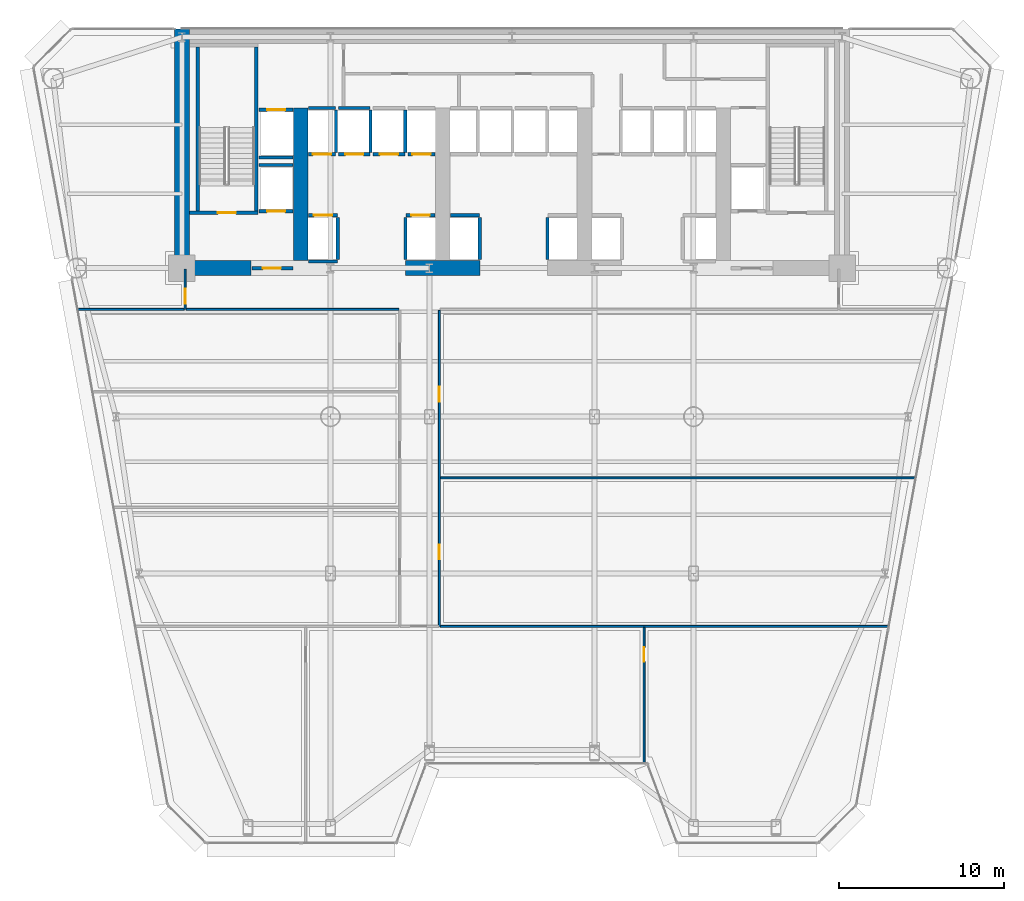
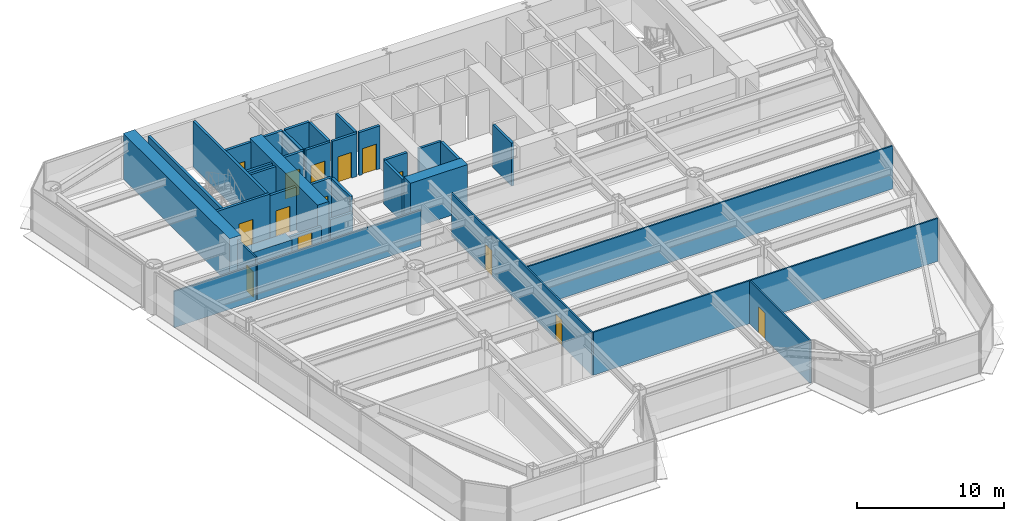
# One storey, part 8 of 14: 36 walls, 14 doors, 14 openings.
"""IFC4 building model written with IfcOpenShell, lengths in metres."""

from ifc_helpers import new_model, si_unit, direction, frame, frame_2d, origin, place, context, subcontext, project, spatial, rectangle, extrude, source, transform, mapped, material, layer, layer_set, type_object, element, fill, save


model = new_model("IFC4")

# Units and contexts
model_context = context("Model", 3, precision=1e-05, world=origin(), true_north=direction((0.0, 1.0)))
body_context = subcontext(model_context, "Body", "Model", "MODEL_VIEW")
ifc_project = project(units=[si_unit("LENGTHUNIT", "METRE"), si_unit("AREAUNIT", "SQUARE_METRE"), si_unit("VOLUMEUNIT", "CUBIC_METRE"), si_unit("PLANEANGLEUNIT", "RADIAN"), si_unit("MASSUNIT", "GRAM", prefix="KILO")], contexts=[model_context])

# Site, building, storey
site_placement = place(None, origin())
site = spatial("IfcSite", under=ifc_project, at=site_placement, CompositionType="ELEMENT")
building_placement = place(site_placement, origin())
building = spatial("IfcBuilding", under=site, at=building_placement, Name="Vaeldorn Concourse Tower", CompositionType="ELEMENT")
storey_placement = place(building_placement, frame((0.0, 0.0, 45.39990234375)))
storey = spatial("IfcBuildingStorey", under=building, at=storey_placement, Name="L11", CompositionType="ELEMENT", Elevation=45.39990234375)

# Walls
ifc_material_1 = material(Name="Concrete C60/75", Category="concrete")
ifc_layer_1 = layer(ifc_material_1, 0.89990234375)
ifc_layer_set_1 = layer_set([ifc_layer_1], Name="Concrete C60/75")
wall_type_1 = type_object("IfcWallType", Name="WL-CORE-900", PredefinedType="SHEAR", material=ifc_layer_set_1)
wall_1_placement = place(storey_placement, frame((14.0, 36.5, 0.0), z_axis=(0.0, 0.0, 1.0), x_axis=(0.0, 1.0, 0.0)))
element("IfcWall", 1, at=wall_1_placement, inside=storey, type_object=wall_type_1, Name="Rear Core Shear Wall L11 W1", PredefinedType="SHEAR", context=body_context, shape_type="SweptSolid", body=[
    extrude(rectangle(XDim=14.5, YDim=0.89990234375, at=frame_2d((7.25, 0.0))), origin(), (0.0, 0.0, 1.0), 3.800048828125),
])
wall_2_placement = place(storey_placement, frame((14.469970703125, 36.5, 0.0), z_axis=(0.0, 0.0, 1.0), x_axis=(1.0, 0.0, 0.0)))
element("IfcWall", 2, at=wall_2_placement, inside=storey, type_object=wall_type_1, Name="Rear Core Shear Wall L11 S1", PredefinedType="SHEAR", context=body_context, shape_type="SweptSolid", body=[
    extrude(rectangle(XDim=3.72998046875, YDim=0.89990234375, at=frame_2d((1.864990234375, 0.0))), origin(), (0.0, 0.0, 1.0), 2.380126953125),
])
wall_3_placement = place(storey_placement, frame((27.550048828125, 36.5, 0.0), z_axis=(0.0, 0.0, 1.0), x_axis=(1.0, 0.0, 0.0)))
element("IfcWall", 3, at=wall_3_placement, inside=storey, type_object=wall_type_1, Name="Rear Core Shear Wall L11 S2", PredefinedType="SHEAR", context=body_context, shape_type="SweptSolid", body=[
    extrude(rectangle(XDim=4.5, YDim=0.89990234375, at=frame_2d((2.25, 0.0))), origin(), (0.0, 0.0, 1.0), 3.800048828125),
])
wall_4_placement = place(storey_placement, frame((21.199951171875, 36.969970703125, 0.0), z_axis=(0.0, 0.0, 1.0), x_axis=(0.0, 1.0, 0.0)))
element("IfcWall", 4, at=wall_4_placement, inside=storey, type_object=wall_type_1, Name="Rear Core Shear Wall L11 M1", PredefinedType="SHEAR", context=body_context, shape_type="SweptSolid", body=[
    extrude(rectangle(XDim=9.22998046875, YDim=0.89990234375, at=frame_2d((4.614990234375, 0.0))), origin(), (0.0, 0.0, 1.0), 3.800048828125),
])
ifc_material_2 = material(Name="Gypsum Board Partition", Category="gypsum")
ifc_layer_2 = layer(ifc_material_2, 0.1201171875)
ifc_layer_set_2 = layer_set([ifc_layer_2], Name="Gypsum Board Partition")
wall_type_2 = type_object("IfcWallType", Name="WL-PART-120", PredefinedType="PARTITIONING", material=ifc_layer_set_2)
wall_5_placement = place(storey_placement, frame((14.260009765625, 34.0, 0.0), z_axis=(0.0, 0.0, 1.0), x_axis=(1.0, 0.0, 0.0)))
element("IfcWall", 5, at=wall_5_placement, inside=storey, type_object=wall_type_2, Name="Interior Wall PW-L11-C3SW", PredefinedType="PARTITIONING", context=body_context, shape_type="SweptSolid", body=[
    extrude(rectangle(XDim=12.8798828125, YDim=0.1201171875, at=frame_2d((6.43994140625, 0.0))), origin(), (0.0, 0.0, 1.0), 3.02001953125),
])

# Wall, opening, door
wall_6_placement = place(storey_placement, frame((14.199951171875, 34.0, 0.0), z_axis=(0.0, 0.0, 1.0), x_axis=(0.0, 1.0, 0.0)))
wall_6 = element("IfcWall", 6, at=wall_6_placement, inside=storey, type_object=wall_type_2, Name="Interior Wall PW-L11-C3W", PredefinedType="PARTITIONING", context=body_context, shape_type="SweptSolid", body=[
    extrude(rectangle(XDim=2.43994140625, YDim=0.1201171875, at=frame_2d((1.219970703125, 0.0))), origin(), (0.0, 0.0, 1.0), 3.580078125),
])
opening_1_placement = place(wall_6_placement, frame((0.35009765625, 0.0, 0.0)))
opening_1 = element("IfcOpeningElement", 7, at=opening_1_placement, cuts=wall_6, Name="Opening D-03", PredefinedType="OPENING", context=body_context, shape_type="SweptSolid", body=[
    extrude(rectangle(XDim=0.89990234375, YDim=2.14990234375, at=frame_2d((0.449951171875, 1.074951171875))), frame((0.0, 0.070068359375, 0.0), z_axis=(0.0, -1.0, 0.0), x_axis=(1.0, 0.0, 0.0)), (0.0, 0.0, 1.0), 0.14013671875),
])
ifc_material_3 = material(Name="Acoustic Bronze-Framed Glass Door", Category="glass")
door_type_1 = type_object("IfcDoorType", Name="DR-INT-900", OperationType="NOTDEFINED", PredefinedType="DOOR", material=ifc_material_3)
shared_shape_1 = source(origin(), body_context, "Body", "SweptSolid", [
    extrude(rectangle(XDim=0.89990234375, YDim=2.14990234375, at=frame_2d((0.449951171875, 1.074951171875))), frame((0.0, 0.02490234375, 0.0), z_axis=(0.0, -1.0, 0.0), x_axis=(1.0, 0.0, 0.0)), (0.0, 0.0, 1.0), 0.050048828125),
])
door_1_placement = place(opening_1_placement, origin())
door_1 = element("IfcDoor", 8, at=door_1_placement, inside=storey, type_object=door_type_1, Name="Interior Door DR-L11-Z3NW", OperationType="SINGLE_SWING_LEFT", OverallHeight=2.14990234375, OverallWidth=0.89990234375, PredefinedType="DOOR", context=body_context, shape_type="MappedRepresentation", body=[
    mapped(shared_shape_1, transform((0.0, 0.0, 0.0), scale=1.0)),
])
fill(opening_1, door_1)

# Wall, openings, doors
wall_7_placement = place(storey_placement, frame((29.60009765625, 14.800048828125, 0.0), z_axis=(0.0, 0.0, 1.0), x_axis=(0.0, 1.0, 0.0)))
wall_7 = element("IfcWall", 9, at=wall_7_placement, inside=storey, type_object=wall_type_2, Name="Interior Wall PW-L11-CSPE", PredefinedType="PARTITIONING", context=body_context, shape_type="SweptSolid", body=[
    extrude(rectangle(XDim=19.139892578125, YDim=0.1201171875, at=frame_2d((9.56982421875, 0.0))), origin(), (0.0, 0.0, 1.0), 3.580078125),
])
opening_2_placement = place(wall_7_placement, frame((4.050048828125, 0.0, 0.0)))
opening_2 = element("IfcOpeningElement", 10, at=opening_2_placement, cuts=wall_7, Name="Opening D-03", PredefinedType="OPENING", context=body_context, shape_type="SweptSolid", body=[
    extrude(rectangle(XDim=0.89990234375, YDim=2.14990234375, at=frame_2d((0.449951171875, 1.074951171875))), frame((0.0, 0.070068359375, 0.0), z_axis=(0.0, -1.0, 0.0), x_axis=(1.0, 0.0, 0.0)), (0.0, 0.0, 1.0), 0.14013671875),
])
opening_3_placement = place(wall_7_placement, frame((13.6201171875, 0.0, 0.0)))
opening_3 = element("IfcOpeningElement", 11, at=opening_3_placement, cuts=wall_7, Name="Opening D-03", PredefinedType="OPENING", context=body_context, shape_type="SweptSolid", body=[
    extrude(rectangle(XDim=0.89990234375, YDim=2.14990234375, at=frame_2d((0.449951171875, 1.074951171875))), frame((0.0, 0.070068359375, 0.0), z_axis=(0.0, -1.0, 0.0), x_axis=(1.0, 0.0, 0.0)), (0.0, 0.0, 1.0), 0.14013671875),
])
door_2_placement = place(opening_2_placement, origin())
door_2 = element("IfcDoor", 12, at=door_2_placement, inside=storey, type_object=door_type_1, Name="Interior Door DR-L11-Z3E1", OperationType="SINGLE_SWING_RIGHT", OverallHeight=2.14990234375, OverallWidth=0.89990234375, PredefinedType="DOOR", context=body_context, shape_type="MappedRepresentation", body=[
    mapped(shared_shape_1, transform((0.0, 0.0, 0.0), scale=1.0)),
])
fill(opening_2, door_2)
door_3_placement = place(opening_3_placement, origin())
door_3 = element("IfcDoor", 13, at=door_3_placement, inside=storey, type_object=door_type_1, Name="Interior Door DR-L11-Z3E2", OperationType="SINGLE_SWING_LEFT", OverallHeight=2.14990234375, OverallWidth=0.89990234375, PredefinedType="DOOR", context=body_context, shape_type="MappedRepresentation", body=[
    mapped(shared_shape_1, transform((0.0, 0.0, 0.0), scale=1.0)),
])
fill(opening_3, door_3)

# Walls
wall_8_placement = place(storey_placement, frame((7.715087890625, 34.0, 0.0), z_axis=(0.0, 0.0, 1.0), x_axis=(1.0, 0.0, 0.0)))
element("IfcWall", 14, at=wall_8_placement, inside=storey, type_object=wall_type_2, Name="Interior Wall PW-L11-Z3NWB", PredefinedType="PARTITIONING", context=body_context, shape_type="SweptSolid", body=[
    extrude(rectangle(XDim=6.4248046875, YDim=0.1201171875, at=frame_2d((3.21240234375, 0.0))), origin(), (0.0, 0.0, 1.0), 3.02001953125),
])
wall_9_placement = place(storey_placement, frame((29.659912109375, 23.800048828125, 0.0), z_axis=(0.0, 0.0, 1.0), x_axis=(1.0, 0.0, 0.0)))
element("IfcWall", 15, at=wall_9_placement, inside=storey, type_object=wall_type_2, Name="Interior Wall PW-L11-Z3EY1", PredefinedType="PARTITIONING", context=body_context, shape_type="SweptSolid", body=[
    extrude(rectangle(XDim=28.76904296875, YDim=0.1201171875, at=frame_2d((14.384521484375, 0.0))), origin(), (0.0, 0.0, 1.0), 3.580078125),
])
wall_10_placement = place(storey_placement, frame((29.659912109375, 14.800048828125, 0.0), z_axis=(0.0, 0.0, 1.0), x_axis=(1.0, 0.0, 0.0)))
element("IfcWall", 16, at=wall_10_placement, inside=storey, type_object=wall_type_2, Name="Interior Wall PW-L11-Z3SEL", PredefinedType="PARTITIONING", context=body_context, shape_type="SweptSolid", body=[
    extrude(rectangle(XDim=27.13134765625, YDim=0.1201171875, at=frame_2d((13.565673828125, 0.0))), origin(), (0.0, 0.0, 1.0), 3.580078125),
])

# Wall, opening, door
wall_11_placement = place(storey_placement, frame((42.0, 6.513427734375, 0.0), z_axis=(0.0, 0.0, 1.0), x_axis=(0.0, 1.0, 0.0)))
wall_11 = element("IfcWall", 17, at=wall_11_placement, inside=storey, type_object=wall_type_2, Name="Interior Wall PW-L11-Z3SX2", PredefinedType="PARTITIONING", context=body_context, shape_type="SweptSolid", body=[
    extrude(rectangle(XDim=8.2265625, YDim=0.1201171875, at=frame_2d((4.11328125, 0.0))), origin(), (0.0, 0.0, 1.0), 3.580078125),
])
opening_4_placement = place(wall_11_placement, frame((6.126953125, 0.0, 0.0)))
opening_4 = element("IfcOpeningElement", 18, at=opening_4_placement, cuts=wall_11, Name="Opening D-03", PredefinedType="OPENING", context=body_context, shape_type="SweptSolid", body=[
    extrude(rectangle(XDim=0.89990234375, YDim=2.14990234375, at=frame_2d((0.449951171875, 1.074951171875))), frame((0.0, 0.070068359375, 0.0), z_axis=(0.0, -1.0, 0.0), x_axis=(1.0, 0.0, 0.0)), (0.0, 0.0, 1.0), 0.14013671875),
])
door_4_placement = place(opening_4_placement, origin())
door_4 = element("IfcDoor", 19, at=door_4_placement, inside=storey, type_object=door_type_1, Name="Interior Door DR-L11-Z3SX2", OperationType="SINGLE_SWING_LEFT", OverallHeight=2.14990234375, OverallWidth=0.89990234375, PredefinedType="DOOR", context=body_context, shape_type="MappedRepresentation", body=[
    mapped(shared_shape_1, transform((0.0, 0.0, 0.0), scale=1.0)),
])
fill(opening_4, door_4)

ifc_material_4 = material(Name="Concrete C50/60", Category="concrete")
ifc_layer_3 = layer(ifc_material_4, 0.199951171875)
ifc_layer_set_3 = layer_set([ifc_layer_3], Name="Concrete C50/60")
wall_type_3 = type_object("IfcWallType", Name="WL-SHAFT-200", PredefinedType="SOLIDWALL", material=ifc_layer_set_3)
wall_12_placement = place(storey_placement, frame((14.449951171875, 39.85009765625, 0.0), z_axis=(0.0, 0.0, 1.0), x_axis=(1.0, 0.0, 0.0)))
wall_12 = element("IfcWall", 20, at=wall_12_placement, inside=storey, type_object=wall_type_3, Name="Stair Shaft Wall CW-L11-ST-1-S", PredefinedType="SOLIDWALL", context=body_context, shape_type="SweptSolid", body=[
    extrude(rectangle(XDim=4.150146484375, YDim=0.199951171875, at=frame_2d((2.0751953125, 0.0))), origin(), (0.0, 0.0, 1.0), 3.800048828125),
])
opening_5_placement = place(wall_12_placement, frame((1.72509765625, 0.0, 0.0)))
opening_5 = element("IfcOpeningElement", 21, at=opening_5_placement, cuts=wall_12, Name="Opening D-01", PredefinedType="OPENING", context=body_context, shape_type="SweptSolid", body=[
    extrude(rectangle(XDim=1.10009765625, YDim=2.14990234375, at=frame_2d((0.550048828125, 1.074951171875))), frame((0.0, 0.10986328125, 0.0), z_axis=(0.0, -1.0, 0.0), x_axis=(1.0, 0.0, 0.0)), (0.0, 0.0, 1.0), 0.219970703125),
])
ifc_material_5 = material(Name="Fire-Rated Timber and Steel Leaf", Category="steel")
door_type_2 = type_object("IfcDoorType", Name="DR-FD60-1100", OperationType="NOTDEFINED", PredefinedType="DOOR", material=ifc_material_5)
shared_shape_2 = source(origin(), body_context, "Body", "SweptSolid", [
    extrude(rectangle(XDim=1.10009765625, YDim=2.14990234375, at=frame_2d((0.550048828125, 1.074951171875))), frame((0.0, 0.02490234375, 0.0), z_axis=(0.0, -1.0, 0.0), x_axis=(1.0, 0.0, 0.0)), (0.0, 0.0, 1.0), 0.050048828125),
])
door_5_placement = place(opening_5_placement, origin())
door_5 = element("IfcDoor", 22, at=door_5_placement, inside=storey, type_object=door_type_2, Name="Interior Door DR-L11-ST-1", OperationType="SINGLE_SWING_LEFT", OverallHeight=2.14990234375, OverallWidth=1.10009765625, PredefinedType="DOOR", context=body_context, shape_type="MappedRepresentation", body=[
    mapped(shared_shape_2, transform((0.0, 0.0, 0.0), scale=1.0)),
])
fill(opening_5, door_5)

# Walls
for number, where, z_axis, x_axis, name in (
    (23, (14.949951171875, 39.9599609375, 0.0), (0.0, 0.0, 1.0), (0.0, 1.0, 0.0), "Stair Shaft Wall CW-L11-ST-1-W"),
    (24, (18.5, 39.9599609375, 0.0), (0.0, 0.0, 1.0), (0.0, 1.0, 0.0), "Stair Shaft Wall CW-L11-ST-1-E"),
):
    element("IfcWall", number, at=place(storey_placement, frame(where, z_axis=z_axis, x_axis=x_axis)), inside=storey, type_object=wall_type_3, Name=name, PredefinedType="SOLIDWALL", context=body_context, shape_type="SweptSolid", body=[
        extrude(rectangle(XDim=9.929931640625, YDim=0.199951171875, at=frame_2d((4.96484375, 0.0))), origin(), (0.0, 0.0, 1.0), 3.800048828125),
    ])

# Wall, opening, door
wall_13_placement = place(storey_placement, frame((18.25, 36.5, 0.0), z_axis=(0.0, 0.0, 1.0), x_axis=(1.0, 0.0, 0.0)))
wall_13 = element("IfcWall", 25, at=wall_13_placement, inside=storey, type_object=wall_type_3, Name="Interior Wall CW-L11-FF1S", PredefinedType="SOLIDWALL", context=body_context, shape_type="SweptSolid", body=[
    extrude(rectangle(XDim=2.469970703125, YDim=0.199951171875, at=frame_2d((1.23486328125, 0.0))), origin(), (0.0, 0.0, 1.0), 2.3701171875),
])
opening_6_placement = place(wall_13_placement, frame((0.64990234375, 0.0, 0.0)))
opening_6 = element("IfcOpeningElement", 26, at=opening_6_placement, cuts=wall_13, Name="Opening D-01", PredefinedType="OPENING", context=body_context, shape_type="SweptSolid", body=[
    extrude(rectangle(XDim=1.10009765625, YDim=2.14990234375, at=frame_2d((0.550048828125, 1.074951171875))), frame((0.0, 0.10986328125, 0.0), z_axis=(0.0, -1.0, 0.0), x_axis=(1.0, 0.0, 0.0)), (0.0, 0.0, 1.0), 0.219970703125),
])
door_6_placement = place(opening_6_placement, origin())
door_6 = element("IfcDoor", 27, at=door_6_placement, inside=storey, type_object=door_type_2, Name="Interior Door DR-L11-FF1E", OperationType="SINGLE_SWING_RIGHT", OverallHeight=2.14990234375, OverallWidth=1.10009765625, PredefinedType="DOOR", context=body_context, shape_type="MappedRepresentation", body=[
    mapped(shared_shape_2, transform((0.0, 0.0, 0.0), scale=1.0)),
])
fill(opening_6, door_6)

wall_14_placement = place(storey_placement, frame((21.659912109375, 39.699951171875, 0.0), z_axis=(0.0, 0.0, 1.0), x_axis=(1.0, 0.0, 0.0)))
wall_14 = element("IfcWall", 28, at=wall_14_placement, inside=storey, type_object=wall_type_3, Name="Interior Wall CW-L11-LF-LF-01", PredefinedType="SOLIDWALL", context=body_context, shape_type="SweptSolid", body=[
    extrude(rectangle(XDim=1.77001953125, YDim=0.199951171875, at=frame_2d((0.885009765625, 0.0))), origin(), (0.0, 0.0, 1.0), 3.580078125),
])
opening_7_placement = place(wall_14_placement, frame((0.3349609375, 0.0, 0.0)))
opening_7 = element("IfcOpeningElement", 29, at=opening_7_placement, cuts=wall_14, Name="Opening LD-1", PredefinedType="OPENING", context=body_context, shape_type="SweptSolid", body=[
    extrude(rectangle(XDim=1.10009765625, YDim=2.14990234375, at=frame_2d((0.550048828125, 1.074951171875))), frame((0.0, 0.10986328125, 0.0), z_axis=(0.0, -1.0, 0.0), x_axis=(1.0, 0.0, 0.0)), (0.0, 0.0, 1.0), 0.219970703125),
])
ifc_material_6 = material(Name="Anodised Bronze Aluminium", Category="aluminium")
door_type_3 = type_object("IfcDoorType", Name="DR-LIFT-SLIDE-1100", OperationType="DOUBLE_DOOR_SLIDING", PredefinedType="DOOR", material=ifc_material_6)
door_7_placement = place(opening_7_placement, origin())
door_7 = element("IfcDoor", 30, at=door_7_placement, inside=storey, type_object=door_type_3, Name="Lift Landing Door LD-L11-LF-01", OperationType="DOUBLE_DOOR_SLIDING", OverallHeight=2.14990234375, OverallWidth=1.10009765625, PredefinedType="DOOR", context=body_context, shape_type="MappedRepresentation", body=[
    mapped(shared_shape_2, transform((0.0, 0.0, 0.0), scale=1.0)),
])
fill(opening_7, door_7)

# Walls
wall_15_placement = place(storey_placement, frame((21.659912109375, 36.89990234375, 0.0), z_axis=(0.0, 0.0, 1.0), x_axis=(1.0, 0.0, 0.0)))
element("IfcWall", 31, at=wall_15_placement, inside=storey, type_object=wall_type_3, Name="Interior Wall CW-L11-LFB-LF-01", PredefinedType="SOLIDWALL", context=body_context, shape_type="SweptSolid", body=[
    extrude(rectangle(XDim=1.77001953125, YDim=0.199951171875, at=frame_2d((0.885009765625, 0.0))), origin(), (0.0, 0.0, 1.0), 2.3701171875),
])
wall_16_placement = place(storey_placement, frame((23.449951171875, 37.02001953125, 0.0), z_axis=(0.0, 0.0, 1.0), x_axis=(0.0, 1.0, 0.0)))
element("IfcWall", 32, at=wall_16_placement, inside=storey, type_object=wall_type_3, Name="Interior Wall CW-L11-LFE-LF-01", PredefinedType="SOLIDWALL", context=body_context, shape_type="SweptSolid", body=[
    extrude(rectangle(XDim=2.56005859375, YDim=0.199951171875, at=frame_2d((1.280029296875, 0.0))), origin(), (0.0, 0.0, 1.0), 3.580078125),
])

# Wall, opening, door
wall_17_placement = place(storey_placement, frame((27.570068359375, 39.699951171875, 0.0), z_axis=(0.0, 0.0, 1.0), x_axis=(1.0, 0.0, 0.0)))
wall_17 = element("IfcWall", 33, at=wall_17_placement, inside=storey, type_object=wall_type_3, Name="Interior Wall CW-L11-LF-LF-02", PredefinedType="SOLIDWALL", context=body_context, shape_type="SweptSolid", body=[
    extrude(rectangle(XDim=1.77001953125, YDim=0.199951171875, at=frame_2d((0.885009765625, 0.0))), origin(), (0.0, 0.0, 1.0), 3.580078125),
])
opening_8_placement = place(wall_17_placement, frame((0.3349609375, 0.0, 0.0)))
opening_8 = element("IfcOpeningElement", 34, at=opening_8_placement, cuts=wall_17, Name="Opening LD-1", PredefinedType="OPENING", context=body_context, shape_type="SweptSolid", body=[
    extrude(rectangle(XDim=1.10009765625, YDim=2.14990234375, at=frame_2d((0.550048828125, 1.074951171875))), frame((0.0, 0.10986328125, 0.0), z_axis=(0.0, -1.0, 0.0), x_axis=(1.0, 0.0, 0.0)), (0.0, 0.0, 1.0), 0.219970703125),
])
door_8_placement = place(opening_8_placement, origin())
door_8 = element("IfcDoor", 35, at=door_8_placement, inside=storey, type_object=door_type_3, Name="Lift Landing Door LD-L11-LF-02", OperationType="DOUBLE_DOOR_SLIDING", OverallHeight=2.14990234375, OverallWidth=1.10009765625, PredefinedType="DOOR", context=body_context, shape_type="MappedRepresentation", body=[
    mapped(shared_shape_2, transform((0.0, 0.0, 0.0), scale=1.0)),
])
fill(opening_8, door_8)

# Wall
wall_18_placement = place(storey_placement, frame((27.550048828125, 37.02001953125, 0.0), z_axis=(0.0, 0.0, 1.0), x_axis=(0.0, 1.0, 0.0)))
element("IfcWall", 36, at=wall_18_placement, inside=storey, type_object=wall_type_3, Name="Interior Wall CW-L11-LFW-LF-02", PredefinedType="SOLIDWALL", context=body_context, shape_type="SweptSolid", body=[
    extrude(rectangle(XDim=2.56005859375, YDim=0.199951171875, at=frame_2d((1.280029296875, 0.0))), origin(), (0.0, 0.0, 1.0), 3.580078125),
])

# Wall, opening, door
wall_19_placement = place(storey_placement, frame((21.659912109375, 43.39990234375, 0.0), z_axis=(0.0, 0.0, 1.0), x_axis=(1.0, 0.0, 0.0)))
wall_19 = element("IfcWall", 37, at=wall_19_placement, inside=storey, type_object=wall_type_3, Name="Interior Wall CW-L11-LF-LF-03", PredefinedType="SOLIDWALL", context=body_context, shape_type="SweptSolid", body=[
    extrude(rectangle(XDim=1.650146484375, YDim=0.199951171875, at=frame_2d((0.8251953125, 0.0))), origin(), (0.0, 0.0, 1.0), 3.580078125),
])
opening_9_placement = place(wall_19_placement, frame((0.27490234375, 0.0, 0.0)))
opening_9 = element("IfcOpeningElement", 38, at=opening_9_placement, cuts=wall_19, Name="Opening LD-1", PredefinedType="OPENING", context=body_context, shape_type="SweptSolid", body=[
    extrude(rectangle(XDim=1.10009765625, YDim=2.14990234375, at=frame_2d((0.550048828125, 1.074951171875))), frame((0.0, 0.10986328125, 0.0), z_axis=(0.0, -1.0, 0.0), x_axis=(1.0, 0.0, 0.0)), (0.0, 0.0, 1.0), 0.219970703125),
])
door_9_placement = place(opening_9_placement, origin())
door_9 = element("IfcDoor", 39, at=door_9_placement, inside=storey, type_object=door_type_3, Name="Lift Landing Door LD-L11-LF-03", OperationType="DOUBLE_DOOR_SLIDING", OverallHeight=2.14990234375, OverallWidth=1.10009765625, PredefinedType="DOOR", context=body_context, shape_type="MappedRepresentation", body=[
    mapped(shared_shape_2, transform((0.0, 0.0, 0.0), scale=1.0)),
])
fill(opening_9, door_9)

# Walls
wall_20_placement = place(storey_placement, frame((21.659912109375, 46.199951171875, 0.0), z_axis=(0.0, 0.0, 1.0), x_axis=(1.0, 0.0, 0.0)))
element("IfcWall", 40, at=wall_20_placement, inside=storey, type_object=wall_type_3, Name="Interior Wall CW-L11-LFB-LF-03", PredefinedType="SOLIDWALL", context=body_context, shape_type="SweptSolid", body=[
    extrude(rectangle(XDim=1.650146484375, YDim=0.199951171875, at=frame_2d((0.8251953125, 0.0))), origin(), (0.0, 0.0, 1.0), 3.580078125),
])
wall_21_placement = place(storey_placement, frame((23.330078125, 43.52001953125, 0.0), z_axis=(0.0, 0.0, 1.0), x_axis=(0.0, 1.0, 0.0)))
element("IfcWall", 41, at=wall_21_placement, inside=storey, type_object=wall_type_3, Name="Interior Wall CW-L11-LFE-LF-03", PredefinedType="SOLIDWALL", context=body_context, shape_type="SweptSolid", body=[
    extrude(rectangle(XDim=2.56005859375, YDim=0.199951171875, at=frame_2d((1.280029296875, 0.0))), origin(), (0.0, 0.0, 1.0), 3.580078125),
])

# Wall, opening, door
wall_22_placement = place(storey_placement, frame((23.489990234375, 43.39990234375, 0.0), z_axis=(0.0, 0.0, 1.0), x_axis=(1.0, 0.0, 0.0)))
wall_22 = element("IfcWall", 42, at=wall_22_placement, inside=storey, type_object=wall_type_3, Name="Interior Wall CW-L11-LF-LF-04", PredefinedType="SOLIDWALL", context=body_context, shape_type="SweptSolid", body=[
    extrude(rectangle(XDim=1.919921875, YDim=0.199951171875, at=frame_2d((0.9599609375, 0.0))), origin(), (0.0, 0.0, 1.0), 3.580078125),
])
opening_10_placement = place(wall_22_placement, frame((0.409912109375, 0.0, 0.0)))
opening_10 = element("IfcOpeningElement", 43, at=opening_10_placement, cuts=wall_22, Name="Opening LD-1", PredefinedType="OPENING", context=body_context, shape_type="SweptSolid", body=[
    extrude(rectangle(XDim=1.10009765625, YDim=2.14990234375, at=frame_2d((0.550048828125, 1.074951171875))), frame((0.0, 0.10986328125, 0.0), z_axis=(0.0, -1.0, 0.0), x_axis=(1.0, 0.0, 0.0)), (0.0, 0.0, 1.0), 0.219970703125),
])
door_10_placement = place(opening_10_placement, origin())
door_10 = element("IfcDoor", 44, at=door_10_placement, inside=storey, type_object=door_type_3, Name="Lift Landing Door LD-L11-LF-04", OperationType="DOUBLE_DOOR_SLIDING", OverallHeight=2.14990234375, OverallWidth=1.10009765625, PredefinedType="DOOR", context=body_context, shape_type="MappedRepresentation", body=[
    mapped(shared_shape_2, transform((0.0, 0.0, 0.0), scale=1.0)),
])
fill(opening_10, door_10)

# Walls
wall_23_placement = place(storey_placement, frame((23.489990234375, 46.199951171875, 0.0), z_axis=(0.0, 0.0, 1.0), x_axis=(1.0, 0.0, 0.0)))
element("IfcWall", 45, at=wall_23_placement, inside=storey, type_object=wall_type_3, Name="Interior Wall CW-L11-LFB-LF-04", PredefinedType="SOLIDWALL", context=body_context, shape_type="SweptSolid", body=[
    extrude(rectangle(XDim=1.919921875, YDim=0.199951171875, at=frame_2d((0.9599609375, 0.0))), origin(), (0.0, 0.0, 1.0), 3.580078125),
])
wall_24_placement = place(storey_placement, frame((25.429931640625, 43.52001953125, 0.0), z_axis=(0.0, 0.0, 1.0), x_axis=(0.0, 1.0, 0.0)))
element("IfcWall", 46, at=wall_24_placement, inside=storey, type_object=wall_type_3, Name="Interior Wall CW-L11-LFE-LF-04", PredefinedType="SOLIDWALL", context=body_context, shape_type="SweptSolid", body=[
    extrude(rectangle(XDim=2.56005859375, YDim=0.199951171875, at=frame_2d((1.280029296875, 0.0))), origin(), (0.0, 0.0, 1.0), 3.580078125),
])

# Wall, opening, door
wall_25_placement = place(storey_placement, frame((25.590087890625, 43.39990234375, 0.0), z_axis=(0.0, 0.0, 1.0), x_axis=(1.0, 0.0, 0.0)))
wall_25 = element("IfcWall", 47, at=wall_25_placement, inside=storey, type_object=wall_type_3, Name="Interior Wall CW-L11-LF-LF-05", PredefinedType="SOLIDWALL", context=body_context, shape_type="SweptSolid", body=[
    extrude(rectangle(XDim=1.919921875, YDim=0.199951171875, at=frame_2d((0.9599609375, 0.0))), origin(), (0.0, 0.0, 1.0), 3.580078125),
])
opening_11_placement = place(wall_25_placement, frame((0.409912109375, 0.0, 0.0)))
opening_11 = element("IfcOpeningElement", 48, at=opening_11_placement, cuts=wall_25, Name="Opening LD-1", PredefinedType="OPENING", context=body_context, shape_type="SweptSolid", body=[
    extrude(rectangle(XDim=1.10009765625, YDim=2.14990234375, at=frame_2d((0.550048828125, 1.074951171875))), frame((0.0, 0.10986328125, 0.0), z_axis=(0.0, -1.0, 0.0), x_axis=(1.0, 0.0, 0.0)), (0.0, 0.0, 1.0), 0.219970703125),
])
door_11_placement = place(opening_11_placement, origin())
door_11 = element("IfcDoor", 49, at=door_11_placement, inside=storey, type_object=door_type_3, Name="Lift Landing Door LD-L11-LF-05", OperationType="DOUBLE_DOOR_SLIDING", OverallHeight=2.14990234375, OverallWidth=1.10009765625, PredefinedType="DOOR", context=body_context, shape_type="MappedRepresentation", body=[
    mapped(shared_shape_2, transform((0.0, 0.0, 0.0), scale=1.0)),
])
fill(opening_11, door_11)

# Wall
wall_26_placement = place(storey_placement, frame((27.530029296875, 43.52001953125, 0.0), z_axis=(0.0, 0.0, 1.0), x_axis=(0.0, 1.0, 0.0)))
element("IfcWall", 50, at=wall_26_placement, inside=storey, type_object=wall_type_3, Name="Interior Wall CW-L11-LFE-LF-05", PredefinedType="SOLIDWALL", context=body_context, shape_type="SweptSolid", body=[
    extrude(rectangle(XDim=2.56005859375, YDim=0.199951171875, at=frame_2d((1.280029296875, 0.0))), origin(), (0.0, 0.0, 1.0), 3.580078125),
])

# Wall, opening, door
wall_27_placement = place(storey_placement, frame((27.68994140625, 43.39990234375, 0.0), z_axis=(0.0, 0.0, 1.0), x_axis=(1.0, 0.0, 0.0)))
wall_27 = element("IfcWall", 51, at=wall_27_placement, inside=storey, type_object=wall_type_3, Name="Interior Wall CW-L11-LF-LF-06", PredefinedType="SOLIDWALL", context=body_context, shape_type="SweptSolid", body=[
    extrude(rectangle(XDim=1.650146484375, YDim=0.199951171875, at=frame_2d((0.8251953125, 0.0))), origin(), (0.0, 0.0, 1.0), 3.580078125),
])
opening_12_placement = place(wall_27_placement, frame((0.27490234375, 0.0, 0.0)))
opening_12 = element("IfcOpeningElement", 52, at=opening_12_placement, cuts=wall_27, Name="Opening LD-1", PredefinedType="OPENING", context=body_context, shape_type="SweptSolid", body=[
    extrude(rectangle(XDim=1.10009765625, YDim=2.14990234375, at=frame_2d((0.550048828125, 1.074951171875))), frame((0.0, 0.10986328125, 0.0), z_axis=(0.0, -1.0, 0.0), x_axis=(1.0, 0.0, 0.0)), (0.0, 0.0, 1.0), 0.219970703125),
])
door_12_placement = place(opening_12_placement, origin())
door_12 = element("IfcDoor", 53, at=door_12_placement, inside=storey, type_object=door_type_3, Name="Lift Landing Door LD-L11-LF-06", OperationType="DOUBLE_DOOR_SLIDING", OverallHeight=2.14990234375, OverallWidth=1.10009765625, PredefinedType="DOOR", context=body_context, shape_type="MappedRepresentation", body=[
    mapped(shared_shape_2, transform((0.0, 0.0, 0.0), scale=1.0)),
])
fill(opening_12, door_12)

# Walls
wall_28_placement = place(storey_placement, frame((30.260009765625, 39.699951171875, 0.0), z_axis=(0.0, 0.0, 1.0), x_axis=(1.0, 0.0, 0.0)))
element("IfcWall", 54, at=wall_28_placement, inside=storey, type_object=wall_type_3, Name="Interior Wall CW-L11-LF-LF-07", PredefinedType="SOLIDWALL", context=body_context, shape_type="SweptSolid", body=[
    extrude(rectangle(XDim=1.77001953125, YDim=0.199951171875, at=frame_2d((0.885009765625, 0.0))), origin(), (0.0, 0.0, 1.0), 3.580078125),
])
for number, where, z_axis, x_axis, name in (
    (55, (32.050048828125, 37.02001953125, 0.0), (0.0, 0.0, 1.0), (0.0, 1.0, 0.0), "Interior Wall CW-L11-LFE-LF-07"),
    (56, (36.14990234375, 37.02001953125, 0.0), (0.0, 0.0, 1.0), (0.0, 1.0, 0.0), "Interior Wall CW-L11-LFW-LF-08"),
):
    element("IfcWall", number, at=place(storey_placement, frame(where, z_axis=z_axis, x_axis=x_axis)), inside=storey, type_object=wall_type_3, Name=name, PredefinedType="SOLIDWALL", context=body_context, shape_type="SweptSolid", body=[
        extrude(rectangle(XDim=2.56005859375, YDim=0.199951171875, at=frame_2d((1.280029296875, 0.0))), origin(), (0.0, 0.0, 1.0), 3.580078125),
    ])

# Wall, opening, door
wall_29_placement = place(storey_placement, frame((18.669921875, 46.10009765625, 0.0), z_axis=(0.0, 0.0, 1.0), x_axis=(1.0, 0.0, 0.0)))
wall_29 = element("IfcWall", 57, at=wall_29_placement, inside=storey, type_object=wall_type_3, Name="Interior Wall CW-L11-LF-LF-SV1", PredefinedType="SOLIDWALL", context=body_context, shape_type="SweptSolid", body=[
    extrude(rectangle(XDim=2.070068359375, YDim=0.199951171875, at=frame_2d((1.03515625, 0.0))), origin(), (0.0, 0.0, 1.0), 3.580078125),
])
opening_13_placement = place(wall_29_placement, frame((0.485107421875, 0.0, 0.0)))
opening_13 = element("IfcOpeningElement", 58, at=opening_13_placement, cuts=wall_29, Name="Opening LD-1", PredefinedType="OPENING", context=body_context, shape_type="SweptSolid", body=[
    extrude(rectangle(XDim=1.10009765625, YDim=2.14990234375, at=frame_2d((0.550048828125, 1.074951171875))), frame((0.0, 0.10986328125, 0.0), z_axis=(0.0, -1.0, 0.0), x_axis=(1.0, 0.0, 0.0)), (0.0, 0.0, 1.0), 0.219970703125),
])
door_13_placement = place(opening_13_placement, origin())
door_13 = element("IfcDoor", 59, at=door_13_placement, inside=storey, type_object=door_type_3, Name="Lift Landing Door LD-L11-LF-SV1", OperationType="DOUBLE_DOOR_SLIDING", OverallHeight=2.14990234375, OverallWidth=1.10009765625, PredefinedType="DOOR", context=body_context, shape_type="MappedRepresentation", body=[
    mapped(shared_shape_2, transform((0.0, 0.0, 0.0), scale=1.0)),
])
fill(opening_13, door_13)

# Wall
wall_30_placement = place(storey_placement, frame((18.669921875, 43.199951171875, 0.0), z_axis=(0.0, 0.0, 1.0), x_axis=(1.0, 0.0, 0.0)))
element("IfcWall", 60, at=wall_30_placement, inside=storey, type_object=wall_type_3, Name="Interior Wall CW-L11-LFB-LF-SV1", PredefinedType="SOLIDWALL", context=body_context, shape_type="SweptSolid", body=[
    extrude(rectangle(XDim=2.070068359375, YDim=0.199951171875, at=frame_2d((1.03515625, 0.0))), origin(), (0.0, 0.0, 1.0), 3.580078125),
])

# Wall, opening, door
wall_31_placement = place(storey_placement, frame((18.669921875, 39.949951171875, 0.0), z_axis=(0.0, 0.0, 1.0), x_axis=(1.0, 0.0, 0.0)))
wall_31 = element("IfcWall", 61, at=wall_31_placement, inside=storey, type_object=wall_type_3, Name="Interior Wall CW-L11-LF-LF-FF1", PredefinedType="SOLIDWALL", context=body_context, shape_type="SweptSolid", body=[
    extrude(rectangle(XDim=2.070068359375, YDim=0.199951171875, at=frame_2d((1.03515625, 0.0))), origin(), (0.0, 0.0, 1.0), 3.580078125),
])
opening_14_placement = place(wall_31_placement, frame((0.485107421875, 0.0, 0.0)))
opening_14 = element("IfcOpeningElement", 62, at=opening_14_placement, cuts=wall_31, Name="Opening LD-1", PredefinedType="OPENING", context=body_context, shape_type="SweptSolid", body=[
    extrude(rectangle(XDim=1.10009765625, YDim=2.14990234375, at=frame_2d((0.550048828125, 1.074951171875))), frame((0.0, 0.10986328125, 0.0), z_axis=(0.0, -1.0, 0.0), x_axis=(1.0, 0.0, 0.0)), (0.0, 0.0, 1.0), 0.219970703125),
])
door_14_placement = place(opening_14_placement, origin())
door_14 = element("IfcDoor", 63, at=door_14_placement, inside=storey, type_object=door_type_3, Name="Lift Landing Door LD-L11-LF-FF1", OperationType="DOUBLE_DOOR_SLIDING", OverallHeight=2.14990234375, OverallWidth=1.10009765625, PredefinedType="DOOR", context=body_context, shape_type="MappedRepresentation", body=[
    mapped(shared_shape_2, transform((0.0, 0.0, 0.0), scale=1.0)),
])
fill(opening_14, door_14)

# Wall
wall_32_placement = place(storey_placement, frame((18.669921875, 42.75, 0.0), z_axis=(0.0, 0.0, 1.0), x_axis=(1.0, 0.0, 0.0)))
element("IfcWall", 64, at=wall_32_placement, inside=storey, type_object=wall_type_3, Name="Interior Wall CW-L11-LFB-LF-FF1", PredefinedType="SOLIDWALL", context=body_context, shape_type="SweptSolid", body=[
    extrude(rectangle(XDim=2.070068359375, YDim=0.199951171875, at=frame_2d((1.03515625, 0.0))), origin(), (0.0, 0.0, 1.0), 3.580078125),
])

save(model, "model.ifc")
